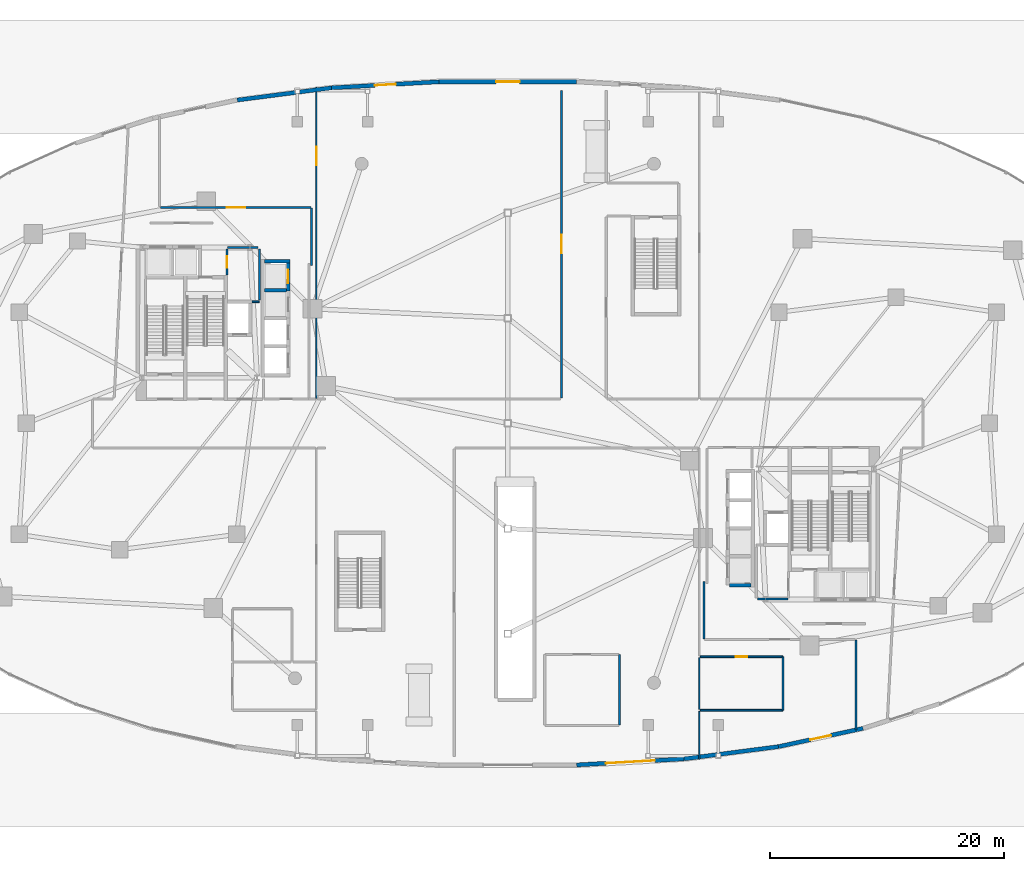
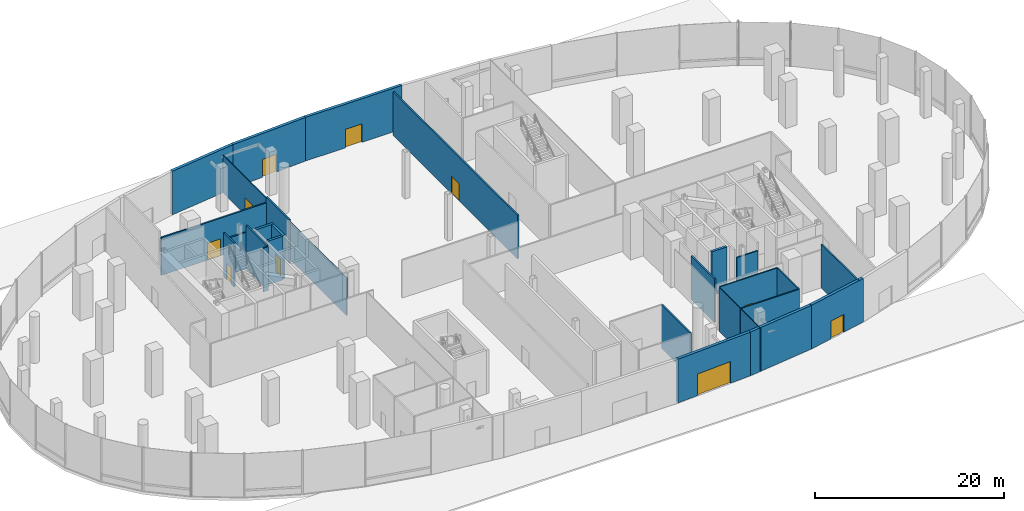
# One storey, part 14 of 20: 27 walls, 10 doors, 10 openings.
"""IFC4 building model written with IfcOpenShell, lengths in metres."""

from ifc_helpers import new_model, si_unit, direction, frame, frame_2d, origin, place, context, subcontext, project, spatial, rectangle, extrude, material, layer, layer_set, type_object, element, fill, save


model = new_model("IFC4")

# Units and contexts
model_context = context("Model", 3, precision=1e-05, world=origin(), true_north=direction((0.0, 1.0)))
body_context = subcontext(model_context, "Body", "Model", "MODEL_VIEW")
ifc_project = project(units=[si_unit("LENGTHUNIT", "METRE"), si_unit("AREAUNIT", "SQUARE_METRE"), si_unit("VOLUMEUNIT", "CUBIC_METRE"), si_unit("PLANEANGLEUNIT", "RADIAN"), si_unit("MASSUNIT", "GRAM", prefix="KILO"), si_unit("THERMODYNAMICTEMPERATUREUNIT", "KELVIN"), si_unit("POWERUNIT", "WATT")], contexts=[model_context])

# Site, building, storey
site_placement = place(None, origin())
site = spatial("IfcSite", under=ifc_project, at=site_placement, CompositionType="ELEMENT")
building_placement = place(site_placement, origin())
building = spatial("IfcBuilding", under=site, at=building_placement, Name="Cundina Bronze Exchange", CompositionType="ELEMENT")
storey_placement = place(building_placement, origin())
storey = spatial("IfcBuildingStorey", under=building, at=storey_placement, Name="L00", CompositionType="ELEMENT", Elevation=0.0)

# Walls
ifc_material_1 = material(Name="Gypsum Fireboard Partition EI120")
ifc_layer_1 = layer(ifc_material_1, 0.179931640625, Name="Gypsum Fireboard Partition EI120")
ifc_layer_set_1 = layer_set([ifc_layer_1], Name="Gypsum Fireboard Partition EI120")
wall_type_1 = type_object("IfcWallType", Name="WL-COR-180", PredefinedType="PARTITIONING", material=ifc_layer_set_1)
wall_1_placement = place(storey_placement, frame((-21.25, 10.570068359375, 0.0), z_axis=(0.0, 0.0, 1.0), x_axis=(0.0, 1.0, 0.0)))
element("IfcWall", 1, at=wall_1_placement, inside=storey, type_object=wall_type_1, Name="L00 Interior Partition 004", PredefinedType="PARTITIONING", context=body_context, shape_type="SweptSolid", body=[
    extrude(rectangle(XDim=4.35986328125, YDim=0.179931640625, at=frame_2d((2.179931640625, 0.0))), origin(), (0.0, 0.0, 1.0), 5.64990234375),
])
wall_2_placement = place(storey_placement, frame((-23.9599609375, 15.030029296875, 0.0), z_axis=(0.0, 0.0, 1.0), x_axis=(1.0, 0.0, 0.0)))
element("IfcWall", 2, at=wall_2_placement, inside=storey, type_object=wall_type_1, Name="L00 Interior Partition 005", PredefinedType="PARTITIONING", context=body_context, shape_type="SweptSolid", body=[
    extrude(rectangle(XDim=2.60986328125, YDim=0.179931640625, at=frame_2d((1.304931640625, 0.0))), origin(), (0.0, 0.0, 1.0), 4.722900390625),
])

# Wall, opening, door
wall_3_placement = place(storey_placement, frame((-24.02001953125, 12.669921875, 0.0), z_axis=(0.0, 0.0, 1.0), x_axis=(0.0, 1.0, 0.0)))
wall_3 = element("IfcWall", 3, at=wall_3_placement, inside=storey, type_object=wall_type_1, Name="L00 Interior Partition 007", PredefinedType="PARTITIONING", context=body_context, shape_type="SweptSolid", body=[
    extrude(rectangle(XDim=2.260009765625, YDim=0.179931640625, at=frame_2d((1.1298828125, 0.0))), origin(), (0.0, 0.0, 1.0), 5.64990234375),
])
opening_1_placement = place(wall_3_placement, frame((0.655029296875, 0.0, 0.0)))
opening_1 = element("IfcOpeningElement", 4, at=opening_1_placement, cuts=wall_3, Name="Opening DW-01", PredefinedType="OPENING", context=body_context, shape_type="SweptSolid", body=[
    extrude(rectangle(XDim=0.949951171875, YDim=2.10009765625, at=frame_2d((0.47509765625, 1.050048828125))), frame((0.0, 0.099853515625, 0.0), z_axis=(0.0, -1.0, 0.0), x_axis=(1.0, 0.0, 0.0)), (0.0, 0.0, 1.0), 0.199951171875),
])
ifc_material_2 = material(Name="Solid Andean Oak Timber Grade A", Category="wood")
door_type_1 = type_object("IfcDoorType", Name="DR-WC-950", OperationType="NOTDEFINED", PredefinedType="DOOR", material=ifc_material_2)
door_1_placement = place(opening_1_placement, origin())
door_1 = element("IfcDoor", 5, at=door_1_placement, inside=storey, type_object=door_type_1, Name="L00 Interior Door 007", OperationType="SINGLE_SWING_LEFT", OverallHeight=2.10009765625, OverallWidth=0.949951171875, PredefinedType="DOOR", context=body_context, shape_type="SweptSolid", body=[
    extrude(rectangle(XDim=0.949951171875, YDim=2.10009765625, at=frame_2d((0.47509765625, 1.050048828125))), frame((0.0, 0.02490234375, 0.0), z_axis=(0.0, -1.0, 0.0), x_axis=(1.0, 0.0, 0.0)), (0.0, 0.0, 1.0), 0.050048828125),
])
fill(opening_1, door_1)

# Walls
wall_4_placement = place(storey_placement, frame((21.35009765625, -15.030029296875, 0.0), z_axis=(0.0, 0.0, 1.0), x_axis=(1.0, 0.0, 0.0)))
element("IfcWall", 6, at=wall_4_placement, inside=storey, type_object=wall_type_1, Name="L00 Interior Partition 012", PredefinedType="PARTITIONING", context=body_context, shape_type="SweptSolid", body=[
    extrude(rectangle(XDim=2.60986328125, YDim=0.179931640625, at=frame_2d((1.304931640625, 0.0))), origin(), (0.0, 0.0, 1.0), 4.722900390625),
])
wall_5_placement = place(storey_placement, frame((9.5400390625, -25.820068359375, 0.0), z_axis=(0.0, 0.0, 1.0), x_axis=(0.0, 1.0, 0.0)))
element("IfcWall", 7, at=wall_5_placement, inside=storey, type_object=wall_type_1, Name="L00 Interior Partition 027", PredefinedType="PARTITIONING", context=body_context, shape_type="SweptSolid", body=[
    extrude(rectangle(XDim=6.0400390625, YDim=0.179931640625, at=frame_2d((3.02001953125, 0.0))), origin(), (0.0, 0.0, 1.0), 5.64990234375),
])

# Wall, opening, door
wall_6_placement = place(storey_placement, frame((4.580078125, 28.47998046875, 0.0), z_axis=(0.0, 0.0, 1.0), x_axis=(0.0, -1.0, 0.0)))
wall_6 = element("IfcWall", 8, at=wall_6_placement, inside=storey, type_object=wall_type_1, Name="L00 Interior Partition 031", PredefinedType="PARTITIONING", context=body_context, shape_type="SweptSolid", body=[
    extrude(rectangle(XDim=26.300048828125, YDim=0.179931640625, at=frame_2d((13.14990234375, 0.0))), origin(), (0.0, 0.0, 1.0), 5.64990234375),
])
opening_2_placement = place(wall_6_placement, frame((12.35009765625, 0.0, 0.0)))
opening_2 = element("IfcOpeningElement", 9, at=opening_2_placement, cuts=wall_6, Name="Opening DO-02", PredefinedType="OPENING", context=body_context, shape_type="SweptSolid", body=[
    extrude(rectangle(XDim=1.60009765625, YDim=2.199951171875, at=frame_2d((0.800048828125, 1.10009765625))), frame((0.0, 0.099853515625, 0.0), z_axis=(0.0, -1.0, 0.0), x_axis=(1.0, 0.0, 0.0)), (0.0, 0.0, 1.0), 0.199951171875),
])
door_type_2 = type_object("IfcDoorType", Name="DR-TRD-1600", OperationType="NOTDEFINED", PredefinedType="DOOR", material=ifc_material_2)
door_2_placement = place(opening_2_placement, origin())
door_2 = element("IfcDoor", 10, at=door_2_placement, inside=storey, type_object=door_type_2, Name="L00 Interior Door 031", OperationType="SINGLE_SWING_LEFT", OverallHeight=2.199951171875, OverallWidth=1.60009765625, PredefinedType="DOOR", context=body_context, shape_type="SweptSolid", body=[
    extrude(rectangle(XDim=1.60009765625, YDim=2.199951171875, at=frame_2d((0.800048828125, 1.10009765625))), frame((0.0, 0.02490234375, 0.0), z_axis=(0.0, -1.0, 0.0), x_axis=(1.0, 0.0, 0.0)), (0.0, 0.0, 1.0), 0.050048828125),
])
fill(opening_2, door_2)

wall_7_placement = place(storey_placement, frame((-16.821533203125, 18.469970703125, 0.0), z_axis=(0.0, 0.0, 1.0), x_axis=(-1.0, 0.0, 0.0)))
wall_7 = element("IfcWall", 11, at=wall_7_placement, inside=storey, type_object=wall_type_1, Name="L00 Interior Partition 044", PredefinedType="PARTITIONING", context=body_context, shape_type="SweptSolid", body=[
    extrude(rectangle(XDim=12.87841796875, YDim=0.179931640625, at=frame_2d((6.439208984375, 0.0))), origin(), (0.0, 0.0, 1.0), 4.876953125),
])
opening_3_placement = place(wall_7_placement, frame((5.63916015625, 0.0, 0.0)))
opening_3 = element("IfcOpeningElement", 12, at=opening_3_placement, cuts=wall_7, Name="Opening DO-02", PredefinedType="OPENING", context=body_context, shape_type="SweptSolid", body=[
    extrude(rectangle(XDim=1.60009765625, YDim=2.199951171875, at=frame_2d((0.800048828125, 1.10009765625))), frame((0.0, 0.099853515625, 0.0), z_axis=(0.0, -1.0, 0.0), x_axis=(1.0, 0.0, 0.0)), (0.0, 0.0, 1.0), 0.199951171875),
])
door_3_placement = place(opening_3_placement, origin())
door_3 = element("IfcDoor", 13, at=door_3_placement, inside=storey, type_object=door_type_2, Name="L00 Interior Door 044", OperationType="SINGLE_SWING_LEFT", OverallHeight=2.199951171875, OverallWidth=1.60009765625, PredefinedType="DOOR", context=body_context, shape_type="SweptSolid", body=[
    extrude(rectangle(XDim=1.60009765625, YDim=2.199951171875, at=frame_2d((0.800048828125, 1.10009765625))), frame((0.0, 0.02490234375, 0.0), z_axis=(0.0, -1.0, 0.0), x_axis=(1.0, 0.0, 0.0)), (0.0, 0.0, 1.0), 0.050048828125),
])
fill(opening_3, door_3)

# Walls
wall_8_placement = place(storey_placement, frame((-16.780029296875, 13.521484375, 0.0), z_axis=(0.0, 0.0, 1.0), x_axis=(0.0, 1.0, 0.0)))
element("IfcWall", 14, at=wall_8_placement, inside=storey, type_object=wall_type_1, Name="L00 Interior Partition 046", PredefinedType="PARTITIONING", context=body_context, shape_type="SweptSolid", body=[
    extrude(rectangle(XDim=4.906982421875, YDim=0.179931640625, at=frame_2d((2.45361328125, 0.0))), origin(), (0.0, 0.0, 1.0), 5.64990234375),
])
wall_9_placement = place(storey_placement, frame((29.780029296875, -18.550048828125, 0.0), z_axis=(0.0, 0.0, 1.0), x_axis=(0.0, -1.0, 0.0)))
element("IfcWall", 15, at=wall_9_placement, inside=storey, type_object=wall_type_1, Name="L00 Interior Partition 054", PredefinedType="PARTITIONING", context=body_context, shape_type="SweptSolid", body=[
    extrude(rectangle(XDim=7.680419921875, YDim=0.179931640625, at=frame_2d((3.84033203125, 0.0))), origin(), (0.0, 0.0, 1.0), 5.64990234375),
])
wall_10_placement = place(storey_placement, frame((16.780029296875, -13.521484375, 0.0), z_axis=(0.0, 0.0, 1.0), x_axis=(0.0, -1.0, 0.0)))
element("IfcWall", 16, at=wall_10_placement, inside=storey, type_object=wall_type_1, Name="L00 Interior Partition 055", PredefinedType="PARTITIONING", context=body_context, shape_type="SweptSolid", body=[
    extrude(rectangle(XDim=4.906982421875, YDim=0.179931640625, at=frame_2d((2.45361328125, 0.0))), origin(), (0.0, 0.0, 1.0), 5.64990234375),
])

# Wall, opening, door
ifc_material_3 = material(Name="Concrete C40/50", Category="concrete")
ifc_layer_2 = layer(ifc_material_3, 0.35009765625, Name="Concrete C40/50", Category="concrete")
ifc_layer_set_2 = layer_set([ifc_layer_2], Name="Concrete C40/50")
wall_type_2 = type_object("IfcWallType", Name="WL-EXT-350", PredefinedType="SOLIDWALL", material=ifc_layer_set_2)
wall_11_placement = place(storey_placement, frame((-5.892578125, 29.21630859375, 0.0), z_axis=(0.0, 0.0, 1.0), x_axis=(1.0, 0.0, 0.0)))
wall_11 = element("IfcWall", 17, at=wall_11_placement, inside=storey, type_object=wall_type_2, Name="L00 Podium Exterior Wall 10", PredefinedType="SOLIDWALL", context=body_context, shape_type="SweptSolid", body=[
    extrude(rectangle(XDim=11.78515625, YDim=0.35009765625, at=frame_2d((5.892578125, 0.0))), origin(), (0.0, 0.0, 1.0), 5.64990234375),
])
opening_4_placement = place(wall_11_placement, frame((4.89306640625, 0.0, 0.0)))
opening_4 = element("IfcOpeningElement", 18, at=opening_4_placement, cuts=wall_11, Name="Opening DE-01", PredefinedType="OPENING", context=body_context, shape_type="SweptSolid", body=[
    extrude(rectangle(XDim=2.0, YDim=2.39990234375, at=frame_2d((1.0, 1.199951171875))), frame((0.0, 0.18505859375, 0.0), z_axis=(0.0, -1.0, 0.0), x_axis=(1.0, 0.0, 0.0)), (0.0, 0.0, 1.0), 0.3701171875),
])
ifc_material_4 = material(Name="Anodised Bronze Aluminium 6063-T6", Category="aluminium")
door_type_3 = type_object("IfcDoorType", Name="DR-EXT-2000", OperationType="NOTDEFINED", PredefinedType="DOOR", material=ifc_material_4)
door_4_placement = place(opening_4_placement, origin())
door_4 = element("IfcDoor", 19, at=door_4_placement, inside=storey, type_object=door_type_3, Name="L00 Concourse Street Exit Door EX-10", OperationType="DOUBLE_DOOR_SINGLE_SWING", OverallHeight=2.39990234375, OverallWidth=2.0, PredefinedType="DOOR", context=body_context, shape_type="SweptSolid", body=[
    extrude(rectangle(XDim=2.0, YDim=2.39990234375, at=frame_2d((1.0, 1.199951171875))), frame((0.0, 0.02490234375, 0.0), z_axis=(0.0, -1.0, 0.0), x_axis=(1.0, 0.0, 0.0)), (0.0, 0.0, 1.0), 0.050048828125),
])
fill(opening_4, door_4)

wall_12_placement = place(storey_placement, frame((-15.07861328125, 28.6982421875, 0.0), z_axis=(0.0, 0.0, 1.0), x_axis=(0.998413463137, 0.056307695976, 0.0)))
wall_12 = element("IfcWall", 20, at=wall_12_placement, inside=storey, type_object=wall_type_2, Name="L00 Podium Exterior Wall 11", PredefinedType="SOLIDWALL", context=body_context, shape_type="SweptSolid", body=[
    extrude(rectangle(XDim=9.20068359375, YDim=0.35009765625, at=frame_2d((4.600341796875, 0.0))), origin(), (0.0, 0.0, 1.0), 5.64990234375),
])
opening_5_placement = place(wall_12_placement, frame((3.699951171875, 0.0, 0.0)))
opening_5 = element("IfcOpeningElement", 21, at=opening_5_placement, cuts=wall_12, Name="Opening DE-02", PredefinedType="OPENING", context=body_context, shape_type="SweptSolid", body=[
    extrude(rectangle(XDim=1.800048828125, YDim=2.300048828125, at=frame_2d((0.89990234375, 1.14990234375))), frame((0.0, 0.18505859375, 0.0), z_axis=(0.0, -1.0, 0.0), x_axis=(1.0, 0.0, 0.0)), (0.0, 0.0, 1.0), 0.3701171875),
])
door_type_4 = type_object("IfcDoorType", Name="DR-EXT-1800", OperationType="NOTDEFINED", PredefinedType="DOOR", material=ifc_material_4)
door_5_placement = place(opening_5_placement, origin())
door_5 = element("IfcDoor", 22, at=door_5_placement, inside=storey, type_object=door_type_4, Name="L00 Concourse Street Exit Door EX-11", OperationType="DOUBLE_DOOR_SINGLE_SWING", OverallHeight=2.300048828125, OverallWidth=1.800048828125, PredefinedType="DOOR", context=body_context, shape_type="SweptSolid", body=[
    extrude(rectangle(XDim=1.800048828125, YDim=2.300048828125, at=frame_2d((0.89990234375, 1.14990234375))), frame((0.0, 0.02490234375, 0.0), z_axis=(0.0, -1.0, 0.0), x_axis=(1.0, 0.0, 0.0)), (0.0, 0.0, 1.0), 0.050048828125),
])
fill(opening_5, door_5)

# Wall
wall_13_placement = place(storey_placement, frame((-23.139892578125, 27.65234375, 0.0), z_axis=(0.0, 0.0, 1.0), x_axis=(0.991688106477, 0.128665067026, 0.0)))
element("IfcWall", 23, at=wall_13_placement, inside=storey, type_object=wall_type_2, Name="L00 Podium Exterior Wall 12", PredefinedType="SOLIDWALL", context=body_context, shape_type="SweptSolid", body=[
    extrude(rectangle(XDim=8.12890625, YDim=0.35009765625, at=frame_2d((4.064453125, 0.0))), origin(), (0.0, 0.0, 1.0), 5.64990234375),
])

# Wall, opening, door
wall_14_placement = place(storey_placement, frame((15.07861328125, -28.6982421875, 0.0), z_axis=(0.0, 0.0, 1.0), x_axis=(-0.998413463137, -0.056307695976, 0.0)))
wall_14 = element("IfcWall", 24, at=wall_14_placement, inside=storey, type_object=wall_type_2, Name="L00 Podium Exterior Wall 33", PredefinedType="SOLIDWALL", context=body_context, shape_type="SweptSolid", body=[
    extrude(rectangle(XDim=9.20068359375, YDim=0.35009765625, at=frame_2d((4.600341796875, 0.0))), origin(), (0.0, 0.0, 1.0), 5.64990234375),
])
opening_6_placement = place(wall_14_placement, frame((2.5, 0.0, 0.0)))
opening_6 = element("IfcOpeningElement", 25, at=opening_6_placement, cuts=wall_14, Name="Opening GT-01", PredefinedType="OPENING", context=body_context, shape_type="SweptSolid", body=[
    extrude(rectangle(XDim=4.199951171875, YDim=2.800048828125, at=frame_2d((2.10009765625, 1.39990234375))), frame((0.0, 0.18505859375, 0.0), z_axis=(0.0, -1.0, 0.0), x_axis=(1.0, 0.0, 0.0)), (0.0, 0.0, 1.0), 0.3701171875),
])
ifc_material_5 = material(Name="Steel ASTM A36 Painted", Category="steel")
door_type_5 = type_object("IfcDoorType", Name="DR-GAT-4200", OperationType="NOTDEFINED", PredefinedType="GATE", material=ifc_material_5)
door_6_placement = place(opening_6_placement, origin())
door_6 = element("IfcDoor", 26, at=door_6_placement, inside=storey, type_object=door_type_5, Name="L00 Loading Dock Vehicle Shutter Gate 33", OperationType="ROLLINGUP", OverallHeight=2.800048828125, OverallWidth=4.199951171875, PredefinedType="GATE", context=body_context, shape_type="SweptSolid", body=[
    extrude(rectangle(XDim=4.199951171875, YDim=2.800048828125, at=frame_2d((2.10009765625, 1.39990234375))), frame((0.0, 0.02490234375, 0.0), z_axis=(0.0, -1.0, 0.0), x_axis=(1.0, 0.0, 0.0)), (0.0, 0.0, 1.0), 0.050048828125),
])
fill(opening_6, door_6)

# Wall
wall_15_placement = place(storey_placement, frame((23.139892578125, -27.65234375, 0.0), z_axis=(0.0, 0.0, 1.0), x_axis=(-0.991688106477, -0.128665067026, 0.0)))
element("IfcWall", 27, at=wall_15_placement, inside=storey, type_object=wall_type_2, Name="L00 Podium Exterior Wall 34", PredefinedType="SOLIDWALL", context=body_context, shape_type="SweptSolid", body=[
    extrude(rectangle(XDim=8.12890625, YDim=0.35009765625, at=frame_2d((4.064453125, 0.0))), origin(), (0.0, 0.0, 1.0), 5.64990234375),
])

# Wall, opening, door
wall_16_placement = place(storey_placement, frame((30.379150390625, -26.088623046875, 0.0), z_axis=(0.0, 0.0, 1.0), x_axis=(-0.977456656467, -0.211136175795, 0.0)))
wall_16 = element("IfcWall", 28, at=wall_16_placement, inside=storey, type_object=wall_type_2, Name="L00 Podium Exterior Wall 35", PredefinedType="SOLIDWALL", context=body_context, shape_type="SweptSolid", body=[
    extrude(rectangle(XDim=7.40625, YDim=0.35009765625, at=frame_2d((3.703125, 0.0))), origin(), (0.0, 0.0, 1.0), 5.64990234375),
])
opening_7_placement = place(wall_16_placement, frame((2.802978515625, 0.0, 0.0)))
opening_7 = element("IfcOpeningElement", 29, at=opening_7_placement, cuts=wall_16, Name="Opening DE-02", PredefinedType="OPENING", context=body_context, shape_type="SweptSolid", body=[
    extrude(rectangle(XDim=1.800048828125, YDim=2.300048828125, at=frame_2d((0.89990234375, 1.14990234375))), frame((0.0, 0.18505859375, 0.0), z_axis=(0.0, -1.0, 0.0), x_axis=(1.0, 0.0, 0.0)), (0.0, 0.0, 1.0), 0.3701171875),
])
door_7_placement = place(opening_7_placement, origin())
door_7 = element("IfcDoor", 30, at=door_7_placement, inside=storey, type_object=door_type_4, Name="L00 Concourse Street Exit Door EX-35", OperationType="DOUBLE_DOOR_SINGLE_SWING", OverallHeight=2.300048828125, OverallWidth=1.800048828125, PredefinedType="DOOR", context=body_context, shape_type="SweptSolid", body=[
    extrude(rectangle(XDim=1.800048828125, YDim=2.300048828125, at=frame_2d((0.89990234375, 1.14990234375))), frame((0.0, 0.02490234375, 0.0), z_axis=(0.0, -1.0, 0.0), x_axis=(1.0, 0.0, 0.0)), (0.0, 0.0, 1.0), 0.050048828125),
])
fill(opening_7, door_7)

ifc_material_6 = material(Name="Clear Low-E Insulating Glass 26mm", Category="glass")
ifc_layer_3 = layer(ifc_material_6, 0.10009765625, Name="Clear Low-E Insulating Glass 26mm", Category="glass")
ifc_layer_set_3 = layer_set([ifc_layer_3], Name="Clear Low-E Insulating Glass 26mm")
wall_type_3 = type_object("IfcWallType", Name="WL-GLZ-100", PredefinedType="PARTITIONING", material=ifc_layer_set_3)
wall_17_placement = place(storey_placement, frame((-16.3798828125, 2.1298828125, 0.0), z_axis=(0.0, 0.0, 1.0), x_axis=(0.0, 1.0, 0.0)))
wall_17 = element("IfcWall", 31, at=wall_17_placement, inside=storey, type_object=wall_type_3, Name="L00 Interior Partition 059", PredefinedType="PARTITIONING", context=body_context, shape_type="SweptSolid", body=[
    extrude(rectangle(XDim=26.61474609375, YDim=0.10009765625, at=frame_2d((13.307373046875, 0.0))), origin(), (0.0, 0.0, 1.0), 4.876953125),
])
opening_8_placement = place(wall_17_placement, frame((19.939697265625, 0.0, 0.0)))
opening_8 = element("IfcOpeningElement", 32, at=opening_8_placement, cuts=wall_17, Name="Opening DO-02", PredefinedType="OPENING", context=body_context, shape_type="SweptSolid", body=[
    extrude(rectangle(XDim=1.60009765625, YDim=2.199951171875, at=frame_2d((0.800048828125, 1.10009765625))), frame((0.0, 0.06005859375, 0.0), z_axis=(0.0, -1.0, 0.0), x_axis=(1.0, 0.0, 0.0)), (0.0, 0.0, 1.0), 0.1201171875),
])
door_8_placement = place(opening_8_placement, origin())
door_8 = element("IfcDoor", 33, at=door_8_placement, inside=storey, type_object=door_type_2, Name="L00 Interior Door 059", OperationType="SINGLE_SWING_RIGHT", OverallHeight=2.199951171875, OverallWidth=1.60009765625, PredefinedType="DOOR", context=body_context, shape_type="SweptSolid", body=[
    extrude(rectangle(XDim=1.60009765625, YDim=2.199951171875, at=frame_2d((0.800048828125, 1.10009765625))), frame((0.0, 0.02490234375, 0.0), z_axis=(0.0, -1.0, 0.0), x_axis=(1.0, 0.0, 0.0)), (0.0, 0.0, 1.0), 0.050048828125),
])
fill(opening_8, door_8)

# Walls
wall_18_placement = place(storey_placement, frame((16.3798828125, -28.74462890625, 0.0), z_axis=(0.0, 0.0, 1.0), x_axis=(0.0, 1.0, 0.0)))
element("IfcWall", 34, at=wall_18_placement, inside=storey, type_object=wall_type_3, Name="L00 Interior Partition 060", PredefinedType="PARTITIONING", context=body_context, shape_type="SweptSolid", body=[
    extrude(rectangle(XDim=4.11962890625, YDim=0.10009765625, at=frame_2d((2.059814453125, 0.0))), origin(), (0.0, 0.0, 1.0), 5.64990234375),
])
wall_19_placement = place(storey_placement, frame((16.3798828125, -24.455078125, 0.0), z_axis=(0.0, 0.0, 1.0), x_axis=(0.0, 1.0, 0.0)))
element("IfcWall", 35, at=wall_19_placement, inside=storey, type_object=wall_type_3, Name="L00 Interior Partition 061", PredefinedType="PARTITIONING", context=body_context, shape_type="SweptSolid", body=[
    extrude(rectangle(XDim=4.41015625, YDim=0.10009765625, at=frame_2d((2.205078125, 0.0))), origin(), (0.0, 0.0, 1.0), 5.64990234375),
])
ifc_material_7 = material(Name="Concrete C50/60", Category="concrete")
ifc_layer_4 = layer(ifc_material_7, 0.300048828125, Name="Concrete C50/60", Category="concrete")
ifc_layer_set_4 = layer_set([ifc_layer_4], Name="Concrete C50/60")
wall_type_4 = type_object("IfcWallType", Name="WL-SHFT-300", PredefinedType="SHEAR", material=ifc_layer_set_4)
wall_20_placement = place(storey_placement, frame((-20.800048828125, 13.85009765625, 0.0), z_axis=(0.0, 0.0, 1.0), x_axis=(1.0, 0.0, 0.0)))
element("IfcWall", 36, at=wall_20_placement, inside=storey, type_object=wall_type_4, Name="L00 W Passenger Bank North Cap Wall", PredefinedType="SHEAR", context=body_context, shape_type="SweptSolid", body=[
    extrude(rectangle(XDim=2.150146484375, YDim=0.300048828125, at=frame_2d((1.0751953125, 0.0))), origin(), (0.0, 0.0, 1.0), 5.64990234375),
])
wall_21_placement = place(storey_placement, frame((-20.800048828125, 11.375, 0.0), z_axis=(0.0, 0.0, 1.0), x_axis=(1.0, 0.0, 0.0)))
element("IfcWall", 37, at=wall_21_placement, inside=storey, type_object=wall_type_4, Name="L00 W Passenger Hoistway Divider 3", PredefinedType="SHEAR", context=body_context, shape_type="SweptSolid", body=[
    extrude(rectangle(XDim=1.85009765625, YDim=0.300048828125, at=frame_2d((0.925048828125, 0.0))), origin(), (0.0, 0.0, 1.0), 5.64990234375),
])

# Wall, opening, door
wall_22_placement = place(storey_placement, frame((-18.800048828125, 11.330078125, 0.0), z_axis=(0.0, 0.0, 1.0), x_axis=(0.0, 1.0, 0.0)))
wall_22 = element("IfcWall", 38, at=wall_22_placement, inside=storey, type_object=wall_type_4, Name="L00 PM-W1 Hoistway Front Wall", PredefinedType="SHEAR", context=body_context, shape_type="SweptSolid", body=[
    extrude(rectangle(XDim=2.489990234375, YDim=0.300048828125, at=frame_2d((1.2451171875, 0.0))), origin(), (0.0, 0.0, 1.0), 5.64990234375),
])
opening_9_placement = place(wall_22_placement, frame((0.669921875, 0.0, 0.0)))
opening_9 = element("IfcOpeningElement", 39, at=opening_9_placement, cuts=wall_22, Name="Opening LD-01", PredefinedType="OPENING", context=body_context, shape_type="SweptSolid", body=[
    extrude(rectangle(XDim=1.14990234375, YDim=2.199951171875, at=frame_2d((0.574951171875, 1.10009765625))), frame((0.0, 0.159912109375, 0.0), z_axis=(0.0, -1.0, 0.0), x_axis=(1.0, 0.0, 0.0)), (0.0, 0.0, 1.0), 0.320068359375),
])
door_type_6 = type_object("IfcDoorType", Name="DR-LND-1150", OperationType="NOTDEFINED", PredefinedType="TRAPDOOR", material=ifc_material_5)
door_9_placement = place(opening_9_placement, origin())
door_9 = element("IfcDoor", 40, at=door_9_placement, inside=storey, type_object=door_type_6, Name="L00 PM-W1 Sliding Landing Door", OperationType="SLIDING_TO_LEFT", OverallHeight=2.199951171875, OverallWidth=1.14990234375, PredefinedType="TRAPDOOR", context=body_context, shape_type="SweptSolid", body=[
    extrude(rectangle(XDim=1.14990234375, YDim=2.199951171875, at=frame_2d((0.574951171875, 1.10009765625))), frame((0.0, 0.02490234375, 0.0), z_axis=(0.0, -1.0, 0.0), x_axis=(1.0, 0.0, 0.0)), (0.0, 0.0, 1.0), 0.050048828125),
])
fill(opening_9, door_9)

# Wall
wall_23_placement = place(storey_placement, frame((18.949951171875, -13.85009765625, 0.0), z_axis=(0.0, 0.0, 1.0), x_axis=(1.0, 0.0, 0.0)))
element("IfcWall", 41, at=wall_23_placement, inside=storey, type_object=wall_type_4, Name="L00 E Passenger Bank South Cap Wall", PredefinedType="SHEAR", context=body_context, shape_type="SweptSolid", body=[
    extrude(rectangle(XDim=1.85009765625, YDim=0.300048828125, at=frame_2d((0.925048828125, 0.0))), origin(), (0.0, 0.0, 1.0), 5.64990234375),
])

# Wall, opening, door
ifc_material_8 = material(Name="Gypsum Acoustic Partition EI60")
ifc_layer_5 = layer(ifc_material_8, 0.14990234375, Name="Gypsum Acoustic Partition EI60")
ifc_layer_set_5 = layer_set([ifc_layer_5], Name="Gypsum Acoustic Partition EI60")
wall_type_5 = type_object("IfcWallType", Name="WL-TEN-150", PredefinedType="PARTITIONING", material=ifc_layer_set_5)
wall_24_placement = place(storey_placement, frame((16.47998046875, -19.9599609375, 0.0), z_axis=(0.0, 0.0, 1.0), x_axis=(1.0, 0.0, 0.0)))
wall_24 = element("IfcWall", 42, at=wall_24_placement, inside=storey, type_object=wall_type_5, Name="L00 Interior Partition 022", PredefinedType="PARTITIONING", context=body_context, shape_type="SweptSolid", body=[
    extrude(rectangle(XDim=7.0400390625, YDim=0.14990234375, at=frame_2d((3.52001953125, 0.0))), origin(), (0.0, 0.0, 1.0), 5.64990234375),
])
opening_10_placement = place(wall_24_placement, frame((3.02001953125, 0.0, 0.0)))
opening_10 = element("IfcOpeningElement", 43, at=opening_10_placement, cuts=wall_24, Name="Opening DO-01", PredefinedType="OPENING", context=body_context, shape_type="SweptSolid", body=[
    extrude(rectangle(XDim=1.0, YDim=2.14990234375, at=frame_2d((0.5, 1.074951171875))), frame((0.0, 0.0849609375, 0.0), z_axis=(0.0, -1.0, 0.0), x_axis=(1.0, 0.0, 0.0)), (0.0, 0.0, 1.0), 0.169921875),
])
door_type_7 = type_object("IfcDoorType", Name="DR-OFF-1000", OperationType="NOTDEFINED", PredefinedType="DOOR", material=ifc_material_2)
door_10_placement = place(opening_10_placement, origin())
door_10 = element("IfcDoor", 44, at=door_10_placement, inside=storey, type_object=door_type_7, Name="L00 Interior Door 022", OperationType="SINGLE_SWING_LEFT", OverallHeight=2.14990234375, OverallWidth=1.0, PredefinedType="DOOR", context=body_context, shape_type="SweptSolid", body=[
    extrude(rectangle(XDim=1.0, YDim=2.14990234375, at=frame_2d((0.5, 1.074951171875))), frame((0.0, 0.02490234375, 0.0), z_axis=(0.0, -1.0, 0.0), x_axis=(1.0, 0.0, 0.0)), (0.0, 0.0, 1.0), 0.050048828125),
])
fill(opening_10, door_10)

# Walls
wall_25_placement = place(storey_placement, frame((23.5400390625, -24.52001953125, 0.0), z_axis=(0.0, 0.0, 1.0), x_axis=(0.0, 1.0, 0.0)))
element("IfcWall", 45, at=wall_25_placement, inside=storey, type_object=wall_type_5, Name="L00 Interior Partition 023", PredefinedType="PARTITIONING", context=body_context, shape_type="SweptSolid", body=[
    extrude(rectangle(XDim=4.5400390625, YDim=0.14990234375, at=frame_2d((2.27001953125, 0.0))), origin(), (0.0, 0.0, 1.0), 5.64990234375),
])
wall_26_placement = place(storey_placement, frame((16.47998046875, -24.5400390625, 0.0), z_axis=(0.0, 0.0, 1.0), x_axis=(1.0, 0.0, 0.0)))
element("IfcWall", 46, at=wall_26_placement, inside=storey, type_object=wall_type_5, Name="L00 Interior Partition 024", PredefinedType="PARTITIONING", context=body_context, shape_type="SweptSolid", body=[
    extrude(rectangle(XDim=7.0400390625, YDim=0.14990234375, at=frame_2d((3.52001953125, 0.0))), origin(), (0.0, 0.0, 1.0), 5.64990234375),
])
ifc_material_9 = material(Name="Moisture-Resistant Masonry Block Grade M15", Category="masonry")
ifc_layer_6 = layer(ifc_material_9, 0.139892578125, Name="Moisture-Resistant Masonry Block Grade M15", Category="masonry")
ifc_layer_set_6 = layer_set([ifc_layer_6], Name="Moisture-Resistant Masonry Block Grade M15")
wall_type_6 = type_object("IfcWallType", Name="WL-WET-140", PredefinedType="PARTITIONING", material=ifc_layer_set_6)
wall_27_placement = place(storey_placement, frame((-21.860107421875, 10.39990234375, 0.0), z_axis=(0.0, 0.0, 1.0), x_axis=(1.0, 0.0, 0.0)))
element("IfcWall", 47, at=wall_27_placement, inside=storey, type_object=wall_type_6, Name="L00 Interior Partition 003", PredefinedType="PARTITIONING", context=body_context, shape_type="SweptSolid", body=[
    extrude(rectangle(XDim=0.590087890625, YDim=0.139892578125, at=frame_2d((0.294921875, 0.0))), origin(), (0.0, 0.0, 1.0), 5.64990234375),
])

save(model, "model.ifc")
